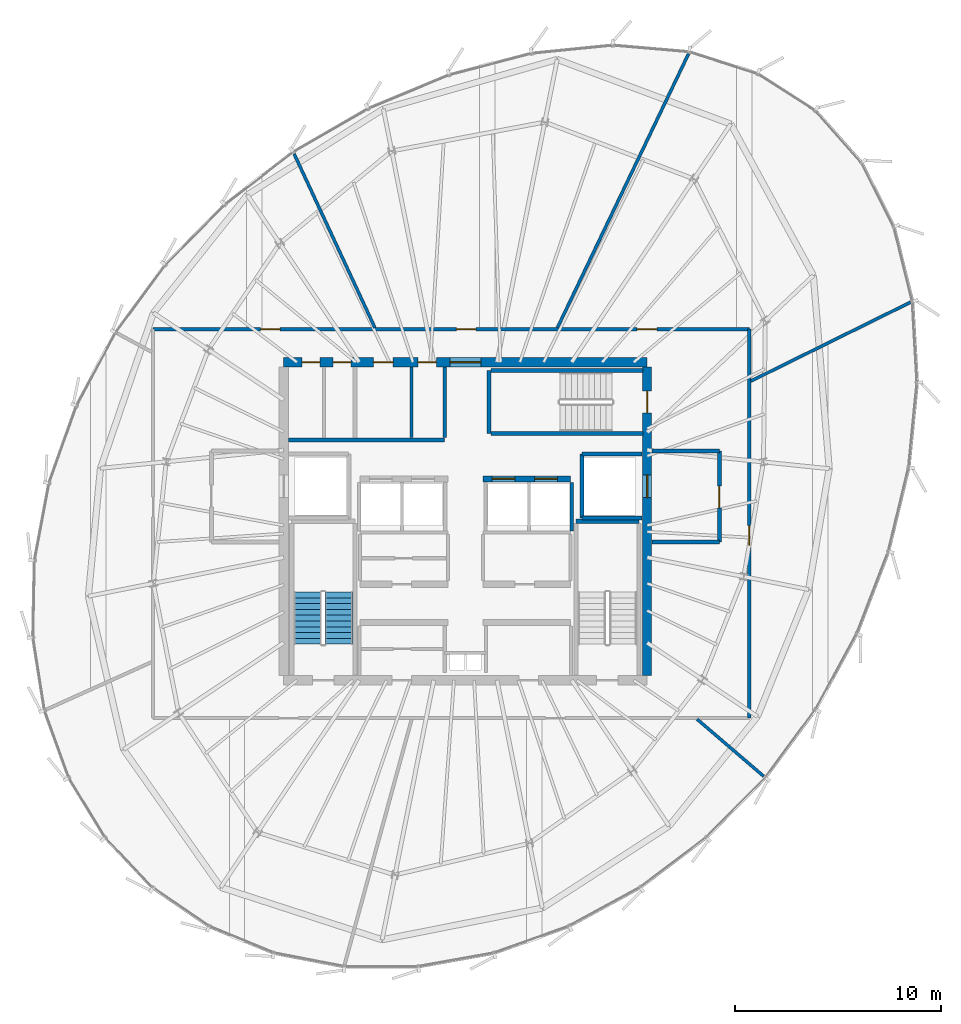
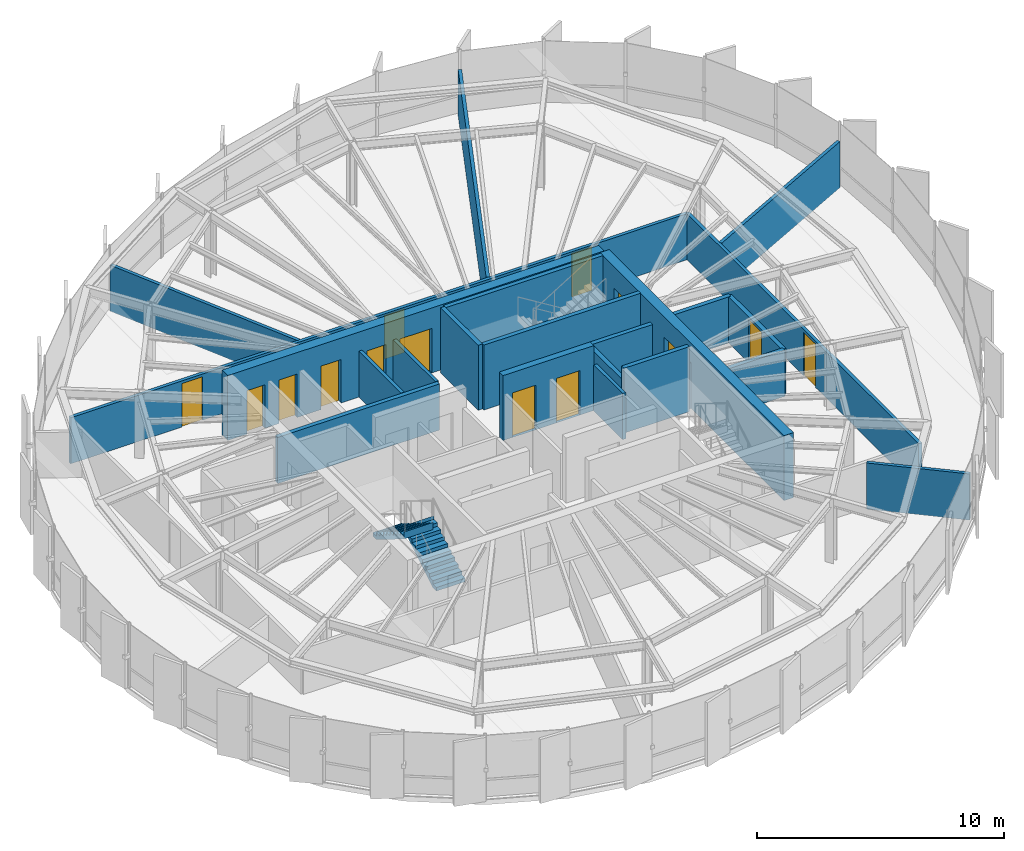
# One storey, part 28 of 33: 23 walls, 14 doors, 2 stair flights, 14 openings, 1 element without a shape of its own.
"""IFC4 building model written with IfcOpenShell, lengths in metres."""

from ifc_helpers import new_model, si_unit, direction, frame, frame_2d, origin, place, context, subcontext, project, spatial, polyline, rectangle, outline, extrude, source, transform, mapped, material, layer, layer_set, type_object, element, fill, aggregate, save


model = new_model("IFC4")

# Units and contexts
model_context = context("Model", 3, precision=1e-05, world=origin(), true_north=direction((0.0, 1.0)))
body_context = subcontext(model_context, "Body", "Model", "MODEL_VIEW")
ifc_project = project(units=[si_unit("LENGTHUNIT", "METRE"), si_unit("AREAUNIT", "SQUARE_METRE"), si_unit("VOLUMEUNIT", "CUBIC_METRE"), si_unit("PLANEANGLEUNIT", "RADIAN"), si_unit("MASSUNIT", "GRAM", prefix="KILO"), si_unit("THERMODYNAMICTEMPERATUREUNIT", "KELVIN")], contexts=[model_context])

# Site, building, storey
site_placement = place(None, origin())
site = spatial("IfcSite", under=ifc_project, at=site_placement, CompositionType="ELEMENT")
building_placement = place(site_placement, origin())
building = spatial("IfcBuilding", under=site, at=building_placement, Name="Kethvar Cultural Tower", CompositionType="ELEMENT")
storey_placement = place(building_placement, frame((0.0, 0.0, 235.300048828125)))
storey = spatial("IfcBuildingStorey", under=building, at=storey_placement, Name="L61", CompositionType="ELEMENT", Elevation=235.300048828125)

# Wall, openings, doors
ifc_material_1 = material(Name="Concrete C50/60", Category="concrete")
ifc_layer_1 = layer(ifc_material_1, 0.449951171875, Name="Concrete C50/60", Category="concrete")
ifc_layer_set_1 = layer_set([ifc_layer_1], Name="Concrete C50/60 (450 mm)")
wall_type_1 = type_object("IfcWallType", Name="WL-CORE-450", PredefinedType="SHEAR", material=ifc_layer_set_1)
wall_1_placement = place(storey_placement, frame((55.60009765625, 35.5, 0.0), z_axis=(0.0, 0.0, 1.0), x_axis=(-1.0, 0.0, 0.0)))
wall_1 = element("IfcWall", 1, at=wall_1_placement, inside=storey, type_object=wall_type_1, Name="L61 Core Shear Wall N", PredefinedType="SHEAR", context=body_context, shape_type="SweptSolid", body=[
    extrude(rectangle(XDim=17.60009765625, YDim=0.449951171875, at=frame_2d((8.800048828125, 0.0))), origin(), (0.0, 0.0, 1.0), 3.2099609375),
])
opening_1_placement = place(wall_1_placement, frame((8.050048828125, 0.0, 0.0)))
opening_1 = element("IfcOpeningElement", 2, at=opening_1_placement, cuts=wall_1, Name="Opening D-L61-LN", PredefinedType="OPENING", context=body_context, shape_type="SweptSolid", body=[
    extrude(rectangle(XDim=1.5, YDim=2.199951171875, at=frame_2d((0.75, 1.10009765625))), frame((0.0, 0.23486328125, 0.0), z_axis=(0.0, -1.0, 0.0), x_axis=(1.0, 0.0, 0.0)), (0.0, 0.0, 1.0), 0.469970703125),
])
opening_2_placement = place(wall_1_placement, frame((15.85009765625, 0.0, 0.0)))
opening_2 = element("IfcOpeningElement", 3, at=opening_2_placement, cuts=wall_1, Name="Opening D-L61-E1", PredefinedType="OPENING", context=body_context, shape_type="SweptSolid", body=[
    extrude(rectangle(XDim=0.85009765625, YDim=2.14990234375, at=frame_2d((0.425048828125, 1.074951171875))), frame((0.0, 0.23486328125, 0.0), z_axis=(0.0, -1.0, 0.0), x_axis=(1.0, 0.0, 0.0)), (0.0, 0.0, 1.0), 0.469970703125),
])
opening_3_placement = place(wall_1_placement, frame((14.35009765625, 0.0, 0.0)))
opening_3 = element("IfcOpeningElement", 4, at=opening_3_placement, cuts=wall_1, Name="Opening D-L61-E2", PredefinedType="OPENING", context=body_context, shape_type="SweptSolid", body=[
    extrude(rectangle(XDim=0.85009765625, YDim=2.14990234375, at=frame_2d((0.425048828125, 1.074951171875))), frame((0.0, 0.23486328125, 0.0), z_axis=(0.0, -1.0, 0.0), x_axis=(1.0, 0.0, 0.0)), (0.0, 0.0, 1.0), 0.469970703125),
])
opening_4_placement = place(wall_1_placement, frame((12.300048828125, 0.0, 0.0)))
opening_4 = element("IfcOpeningElement", 5, at=opening_4_placement, cuts=wall_1, Name="Opening D-L61-W1", PredefinedType="OPENING", context=body_context, shape_type="SweptSolid", body=[
    extrude(rectangle(XDim=0.949951171875, YDim=2.14990234375, at=frame_2d((0.47509765625, 1.074951171875))), frame((0.0, 0.23486328125, 0.0), z_axis=(0.0, -1.0, 0.0), x_axis=(1.0, 0.0, 0.0)), (0.0, 0.0, 1.0), 0.469970703125),
])
opening_5_placement = place(wall_1_placement, frame((10.199951171875, 0.0, 0.0)))
opening_5 = element("IfcOpeningElement", 6, at=opening_5_placement, cuts=wall_1, Name="Opening D-L61-W2", PredefinedType="OPENING", context=body_context, shape_type="SweptSolid", body=[
    extrude(rectangle(XDim=0.89990234375, YDim=2.14990234375, at=frame_2d((0.449951171875, 1.074951171875))), frame((0.0, 0.23486328125, 0.0), z_axis=(0.0, -1.0, 0.0), x_axis=(1.0, 0.0, 0.0)), (0.0, 0.0, 1.0), 0.469970703125),
])
ifc_material_2 = material(Name="Architectural Oak Timber", Category="wood")
door_type_1 = type_object("IfcDoorType", Name="DR-DBL-FD60-1500", OperationType="DOUBLE_DOOR_SINGLE_SWING", PredefinedType="DOOR", material=ifc_material_2)
shared_shape_1 = source(origin(), body_context, "Body", "SweptSolid", [
    extrude(rectangle(XDim=1.5, YDim=2.199951171875, at=frame_2d((0.75, 1.10009765625))), frame((0.0, 0.02490234375, 0.0), z_axis=(0.0, -1.0, 0.0), x_axis=(1.0, 0.0, 0.0)), (0.0, 0.0, 1.0), 0.050048828125),
])
door_1_placement = place(opening_1_placement, origin())
door_1 = element("IfcDoor", 7, at=door_1_placement, inside=storey, type_object=door_type_1, Name="L61 Lift Lobby Concourse Door", OperationType="DOUBLE_DOOR_SINGLE_SWING", OverallHeight=2.199951171875, OverallWidth=1.5, PredefinedType="DOOR", context=body_context, shape_type="MappedRepresentation", body=[
    mapped(shared_shape_1, transform((0.0, 0.0, 0.0), scale=1.0)),
])
fill(opening_1, door_1)
door_type_2 = type_object("IfcDoorType", Name="DR-FD30-950", OperationType="NOTDEFINED", PredefinedType="DOOR", material=ifc_material_2)
shared_shape_2 = source(origin(), body_context, "Body", "SweptSolid", [
    extrude(rectangle(XDim=0.949951171875, YDim=2.14990234375, at=frame_2d((0.47509765625, 1.074951171875))), frame((0.0, 0.02490234375, 0.0), z_axis=(0.0, -1.0, 0.0), x_axis=(1.0, 0.0, 0.0)), (0.0, 0.0, 1.0), 0.050048828125),
])
door_2_placement = place(opening_4_placement, origin())
door_2 = element("IfcDoor", 8, at=door_2_placement, inside=storey, type_object=door_type_2, Name="L61 Public Washroom Door", OperationType="SINGLE_SWING_LEFT", OverallHeight=2.14990234375, OverallWidth=0.949951171875, PredefinedType="DOOR", context=body_context, shape_type="MappedRepresentation", body=[
    mapped(shared_shape_2, transform((0.0, 0.0, 0.0), scale=1.0)),
])
fill(opening_4, door_2)
door_type_3 = type_object("IfcDoorType", Name="DR-FD30-900", OperationType="NOTDEFINED", PredefinedType="DOOR", material=ifc_material_2)
shared_shape_3 = source(origin(), body_context, "Body", "SweptSolid", [
    extrude(rectangle(XDim=0.89990234375, YDim=2.14990234375, at=frame_2d((0.449951171875, 1.074951171875))), frame((0.0, 0.02490234375, 0.0), z_axis=(0.0, -1.0, 0.0), x_axis=(1.0, 0.0, 0.0)), (0.0, 0.0, 1.0), 0.050048828125),
])
door_3_placement = place(opening_5_placement, origin())
door_3 = element("IfcDoor", 9, at=door_3_placement, inside=storey, type_object=door_type_3, Name="L61 Accessible Washroom Door", OperationType="SINGLE_SWING_RIGHT", OverallHeight=2.14990234375, OverallWidth=0.89990234375, PredefinedType="DOOR", context=body_context, shape_type="MappedRepresentation", body=[
    mapped(shared_shape_3, transform((0.0, 0.0, 0.0), scale=1.0)),
])
fill(opening_5, door_3)
ifc_material_3 = material(Name="Steel S355J2", Category="steel")
door_type_4 = type_object("IfcDoorType", Name="DR-FD30-850", OperationType="NOTDEFINED", PredefinedType="DOOR", material=ifc_material_3)
shared_shape_4 = source(origin(), body_context, "Body", "SweptSolid", [
    extrude(rectangle(XDim=0.85009765625, YDim=2.14990234375, at=frame_2d((0.425048828125, 1.074951171875))), frame((0.0, 0.02490234375, 0.0), z_axis=(0.0, -1.0, 0.0), x_axis=(1.0, 0.0, 0.0)), (0.0, 0.0, 1.0), 0.050048828125),
])
door_4_placement = place(opening_2_placement, origin())
door_4 = element("IfcDoor", 10, at=door_4_placement, inside=storey, type_object=door_type_4, Name="L61 Electrical Riser Door", OperationType="SINGLE_SWING_LEFT", OverallHeight=2.14990234375, OverallWidth=0.85009765625, PredefinedType="DOOR", context=body_context, shape_type="MappedRepresentation", body=[
    mapped(shared_shape_4, transform((0.0, 0.0, 0.0), scale=1.0)),
])
fill(opening_2, door_4)
door_5_placement = place(opening_3_placement, origin())
door_5 = element("IfcDoor", 11, at=door_5_placement, inside=storey, type_object=door_type_4, Name="L61 Chilled Water Riser Door", OperationType="SINGLE_SWING_RIGHT", OverallHeight=2.14990234375, OverallWidth=0.85009765625, PredefinedType="DOOR", context=body_context, shape_type="MappedRepresentation", body=[
    mapped(shared_shape_4, transform((0.0, 0.0, 0.0), scale=1.0)),
])
fill(opening_3, door_5)

wall_2_placement = place(storey_placement, frame((55.60009765625, 20.340087890625, 0.0), z_axis=(0.0, 0.0, 1.0), x_axis=(0.0, 1.0, 0.0)))
wall_2 = element("IfcWall", 12, at=wall_2_placement, inside=storey, type_object=wall_type_1, Name="L61 Core Shear Wall E", PredefinedType="SHEAR", context=body_context, shape_type="SweptSolid", body=[
    extrude(rectangle(XDim=14.919921875, YDim=0.449951171875, at=frame_2d((7.4599609375, 0.0))), origin(), (0.0, 0.0, 1.0), 3.2099609375),
])
opening_6_placement = place(wall_2_placement, frame((12.7099609375, 0.0, 0.0)))
opening_6 = element("IfcOpeningElement", 13, at=opening_6_placement, cuts=wall_2, Name="Opening D-L61-S3", PredefinedType="OPENING", context=body_context, shape_type="SweptSolid", body=[
    extrude(rectangle(XDim=1.050048828125, YDim=2.14990234375, at=frame_2d((0.52490234375, 1.074951171875))), frame((0.0, 0.23486328125, 0.0), z_axis=(0.0, -1.0, 0.0), x_axis=(1.0, 0.0, 0.0)), (0.0, 0.0, 1.0), 0.469970703125),
])
opening_7_placement = place(wall_2_placement, frame((8.610107421875, 0.0, 0.0)))
opening_7 = element("IfcOpeningElement", 14, at=opening_7_placement, cuts=wall_2, Name="Opening LD-2", PredefinedType="OPENING", context=body_context, shape_type="SweptSolid", body=[
    extrude(rectangle(XDim=1.10009765625, YDim=2.199951171875, at=frame_2d((0.550048828125, 1.10009765625))), frame((0.0, 0.23486328125, 0.0), z_axis=(0.0, -1.0, 0.0), x_axis=(1.0, 0.0, 0.0)), (0.0, 0.0, 1.0), 0.469970703125),
])
door_type_5 = type_object("IfcDoorType", Name="DR-FD60-1050", OperationType="NOTDEFINED", PredefinedType="DOOR", material=ifc_material_3)
shared_shape_5 = source(origin(), body_context, "Body", "SweptSolid", [
    extrude(rectangle(XDim=1.050048828125, YDim=2.14990234375, at=frame_2d((0.52490234375, 1.074951171875))), frame((0.0, 0.02490234375, 0.0), z_axis=(0.0, -1.0, 0.0), x_axis=(1.0, 0.0, 0.0)), (0.0, 0.0, 1.0), 0.050048828125),
])
door_6_placement = place(opening_6_placement, origin())
door_6 = element("IfcDoor", 15, at=door_6_placement, inside=storey, type_object=door_type_5, Name="L61 Exit Stair 3 Door", OperationType="SINGLE_SWING_LEFT", OverallHeight=2.14990234375, OverallWidth=1.050048828125, PredefinedType="DOOR", context=body_context, shape_type="MappedRepresentation", body=[
    mapped(shared_shape_5, transform((0.0, 0.0, 0.0), scale=1.0)),
])
fill(opening_6, door_6)
door_type_6 = type_object("IfcDoorType", Name="DR-LIFT-SLIDE-1100", OperationType="NOTDEFINED", PredefinedType="DOOR", material=ifc_material_3)
shared_shape_6 = source(origin(), body_context, "Body", "SweptSolid", [
    extrude(rectangle(XDim=1.10009765625, YDim=2.199951171875, at=frame_2d((0.550048828125, 1.10009765625))), frame((0.0, 0.02490234375, 0.0), z_axis=(0.0, -1.0, 0.0), x_axis=(1.0, 0.0, 0.0)), (0.0, 0.0, 1.0), 0.050048828125),
])
door_7_placement = place(opening_7_placement, origin())
door_7 = element("IfcDoor", 16, at=door_7_placement, inside=storey, type_object=door_type_6, Name="L61 Firefighting Lift Landing Door FFL-02", OperationType="SLIDING_TO_RIGHT", OverallHeight=2.199951171875, OverallWidth=1.10009765625, PredefinedType="DOOR", context=body_context, shape_type="MappedRepresentation", body=[
    mapped(shared_shape_6, transform((0.0, 0.0, 0.0), scale=1.0)),
])
fill(opening_7, door_7)

# Walls
ifc_material_4 = material(Name="Gypsum Fireboard Partition")
ifc_layer_2 = layer(ifc_material_4, 0.14990234375, Name="Gypsum Fireboard Partition")
ifc_layer_set_2 = layer_set([ifc_layer_2], Name="Gypsum Fireboard Partition (150 mm)")
wall_type_2 = type_object("IfcWallType", Name="WL-FIRE-150", PredefinedType="PARTITIONING", material=ifc_layer_set_2)
wall_3_placement = place(storey_placement, frame((51.949951171875, 27.340087890625, 0.0), z_axis=(0.0, 0.0, 1.0), x_axis=(0.0, 1.0, 0.0)))
element("IfcWall", 17, at=wall_3_placement, inside=storey, type_object=wall_type_2, Name="L61 High-Rise Lift Shaft Outer Wall E", PredefinedType="PARTITIONING", context=body_context, shape_type="SweptSolid", body=[
    extrude(rectangle(XDim=2.33984375, YDim=0.14990234375, at=frame_2d((1.169921875, 0.0))), origin(), (0.0, 0.0, 1.0), 2.280029296875),
])
wall_4_placement = place(storey_placement, frame((45.800048828125, 31.85009765625, 0.0), z_axis=(0.0, 0.0, 1.0), x_axis=(0.0, 1.0, 0.0)))
element("IfcWall", 18, at=wall_4_placement, inside=storey, type_object=wall_type_2, Name="L61 Sanitary Spine Wall", PredefinedType="PARTITIONING", context=body_context, shape_type="SweptSolid", body=[
    extrude(rectangle(XDim=3.414794921875, YDim=0.14990234375, at=frame_2d((1.70751953125, 0.0))), origin(), (0.0, 0.0, 1.0), 2.280029296875),
])

# Wall, opening, door
wall_5_placement = place(storey_placement, frame((60.550048828125, 18.26904296875, 0.0), z_axis=(0.0, 0.0, 1.0), x_axis=(0.0, 1.0, 0.0)))
wall_5 = element("IfcWall", 19, at=wall_5_placement, inside=storey, type_object=wall_type_2, Name="L61 Corridor Rated Wall E", PredefinedType="PARTITIONING", context=body_context, shape_type="SweptSolid", body=[
    extrude(rectangle(XDim=18.8310546875, YDim=0.14990234375, at=frame_2d((9.41552734375, 0.0))), origin(), (0.0, 0.0, 1.0), 2.280029296875),
])
opening_8_placement = place(wall_5_placement, frame((8.3720703125, 0.0, 0.0)))
opening_8 = element("IfcOpeningElement", 20, at=opening_8_placement, cuts=wall_5, Name="Opening D-L61-03", PredefinedType="OPENING", context=body_context, shape_type="SweptSolid", body=[
    extrude(rectangle(XDim=0.949951171875, YDim=2.14990234375, at=frame_2d((0.47509765625, 1.074951171875))), frame((0.0, 0.0849609375, 0.0), z_axis=(0.0, -1.0, 0.0), x_axis=(1.0, 0.0, 0.0)), (0.0, 0.0, 1.0), 0.169921875),
])
door_8_placement = place(opening_8_placement, origin())
door_8 = element("IfcDoor", 21, at=door_8_placement, inside=storey, type_object=door_type_2, Name="L61 Collection Archive Storage 03 Door", OperationType="SINGLE_SWING_RIGHT", OverallHeight=2.14990234375, OverallWidth=0.949951171875, PredefinedType="DOOR", context=body_context, shape_type="MappedRepresentation", body=[
    mapped(shared_shape_2, transform((0.0, 0.0, 0.0), scale=1.0)),
])
fill(opening_8, door_8)

# Wall, openings, doors
wall_6_placement = place(storey_placement, frame((60.550048828125, 37.10009765625, 0.0), z_axis=(0.0, 0.0, 1.0), x_axis=(-1.0, 0.0, 0.0)))
wall_6 = element("IfcWall", 22, at=wall_6_placement, inside=storey, type_object=wall_type_2, Name="L61 Corridor Rated Wall N", PredefinedType="PARTITIONING", context=body_context, shape_type="SweptSolid", body=[
    extrude(rectangle(XDim=28.8701171875, YDim=0.14990234375, at=frame_2d((14.43505859375, 0.0))), origin(), (0.0, 0.0, 1.0), 2.280029296875),
])
opening_9_placement = place(wall_6_placement, frame((4.477783203125, 0.0, 0.0)))
opening_9 = element("IfcOpeningElement", 23, at=opening_9_placement, cuts=wall_6, Name="Opening D-L61-04", PredefinedType="OPENING", context=body_context, shape_type="SweptSolid", body=[
    extrude(rectangle(XDim=0.949951171875, YDim=2.14990234375, at=frame_2d((0.47509765625, 1.074951171875))), frame((0.0, 0.0849609375, 0.0), z_axis=(0.0, -1.0, 0.0), x_axis=(1.0, 0.0, 0.0)), (0.0, 0.0, 1.0), 0.169921875),
])
opening_10_placement = place(wall_6_placement, frame((13.236083984375, 0.0, 0.0)))
opening_10 = element("IfcOpeningElement", 24, at=opening_10_placement, cuts=wall_6, Name="Opening D-L61-05", PredefinedType="OPENING", context=body_context, shape_type="SweptSolid", body=[
    extrude(rectangle(XDim=0.949951171875, YDim=2.14990234375, at=frame_2d((0.47509765625, 1.074951171875))), frame((0.0, 0.0849609375, 0.0), z_axis=(0.0, -1.0, 0.0), x_axis=(1.0, 0.0, 0.0)), (0.0, 0.0, 1.0), 0.169921875),
])
opening_11_placement = place(wall_6_placement, frame((22.71875, 0.0, 0.0)))
opening_11 = element("IfcOpeningElement", 25, at=opening_11_placement, cuts=wall_6, Name="Opening D-L61-06", PredefinedType="OPENING", context=body_context, shape_type="SweptSolid", body=[
    extrude(rectangle(XDim=0.949951171875, YDim=2.14990234375, at=frame_2d((0.47509765625, 1.074951171875))), frame((0.0, 0.0849609375, 0.0), z_axis=(0.0, -1.0, 0.0), x_axis=(1.0, 0.0, 0.0)), (0.0, 0.0, 1.0), 0.169921875),
])
door_9_placement = place(opening_9_placement, origin())
door_9 = element("IfcDoor", 26, at=door_9_placement, inside=storey, type_object=door_type_2, Name="L61 Compact Archival Store 04 Door", OperationType="SINGLE_SWING_LEFT", OverallHeight=2.14990234375, OverallWidth=0.949951171875, PredefinedType="DOOR", context=body_context, shape_type="MappedRepresentation", body=[
    mapped(shared_shape_2, transform((0.0, 0.0, 0.0), scale=1.0)),
])
fill(opening_9, door_9)
door_10_placement = place(opening_10_placement, origin())
door_10 = element("IfcDoor", 27, at=door_10_placement, inside=storey, type_object=door_type_2, Name="L61 Staff Tea Pantry 05 Door", OperationType="SINGLE_SWING_RIGHT", OverallHeight=2.14990234375, OverallWidth=0.949951171875, PredefinedType="DOOR", context=body_context, shape_type="MappedRepresentation", body=[
    mapped(shared_shape_2, transform((0.0, 0.0, 0.0), scale=1.0)),
])
fill(opening_10, door_10)
door_11_placement = place(opening_11_placement, origin())
door_11 = element("IfcDoor", 28, at=door_11_placement, inside=storey, type_object=door_type_2, Name="L61 Cartography Reading Library 06 Door", OperationType="SINGLE_SWING_LEFT", OverallHeight=2.14990234375, OverallWidth=0.949951171875, PredefinedType="DOOR", context=body_context, shape_type="MappedRepresentation", body=[
    mapped(shared_shape_2, transform((0.0, 0.0, 0.0), scale=1.0)),
])
fill(opening_11, door_11)

# Walls
ifc_material_5 = material(Name="Concrete C40/50", Category="concrete")
ifc_layer_3 = layer(ifc_material_5, 0.199951171875, Name="Concrete C40/50", Category="concrete")
ifc_layer_set_3 = layer_set([ifc_layer_3], Name="Concrete C40/50 (200 mm)")
wall_type_3 = type_object("IfcWallType", Name="WL-FIRE-200", PredefinedType="PARTITIONING", material=ifc_layer_set_3)
wall_7_placement = place(storey_placement, frame((52.449951171875, 27.949951171875, 0.0), z_axis=(0.0, 0.0, 1.0), x_axis=(0.0, 1.0, 0.0)))
element("IfcWall", 29, at=wall_7_placement, inside=storey, type_object=wall_type_3, Name="L61 FFL-02 Shaft Inner Wall", PredefinedType="PARTITIONING", context=body_context, shape_type="SweptSolid", body=[
    extrude(rectangle(XDim=3.10009765625, YDim=0.199951171875, at=frame_2d((1.550048828125, 0.0))), origin(), (0.0, 0.0, 1.0), 2.280029296875),
])
for number, where, z_axis, x_axis, name in (
    (30, (52.449951171875, 27.949951171875, 0.0), (0.0, 0.0, 1.0), (1.0, 0.0, 0.0), "L61 FFL-02 Shaft South Wall"),
    (31, (52.449951171875, 31.050048828125, 0.0), (0.0, 0.0, 1.0), (1.0, 0.0, 0.0), "L61 FFL-02 Shaft North Wall"),
):
    element("IfcWall", number, at=place(storey_placement, frame(where, z_axis=z_axis, x_axis=x_axis)), inside=storey, type_object=wall_type_3, Name=name, PredefinedType="PARTITIONING", context=body_context, shape_type="SweptSolid", body=[
        extrude(rectangle(XDim=2.9150390625, YDim=0.199951171875, at=frame_2d((1.45751953125, 0.0))), origin(), (0.0, 0.0, 1.0), 2.280029296875),
    ])

# Wall, opening, door
wall_8_placement = place(storey_placement, frame((59.10009765625, 26.800048828125, 0.0), z_axis=(0.0, 0.0, 1.0), x_axis=(0.0, 1.0, 0.0)))
wall_8 = element("IfcWall", 32, at=wall_8_placement, inside=storey, type_object=wall_type_3, Name="L61 Firefighting Lobby 2 Wall", PredefinedType="PARTITIONING", context=body_context, shape_type="SweptSolid", body=[
    extrude(rectangle(XDim=4.39990234375, YDim=0.199951171875, at=frame_2d((2.199951171875, 0.0))), origin(), (0.0, 0.0, 1.0), 2.280029296875),
])
opening_12_placement = place(wall_8_placement, frame((1.64990234375, 0.0, 0.0)))
opening_12 = element("IfcOpeningElement", 33, at=opening_12_placement, cuts=wall_8, Name="Opening D-L61-F2", PredefinedType="OPENING", context=body_context, shape_type="SweptSolid", body=[
    extrude(rectangle(XDim=1.050048828125, YDim=2.14990234375, at=frame_2d((0.52490234375, 1.074951171875))), frame((0.0, 0.10986328125, 0.0), z_axis=(0.0, -1.0, 0.0), x_axis=(1.0, 0.0, 0.0)), (0.0, 0.0, 1.0), 0.219970703125),
])
door_12_placement = place(opening_12_placement, origin())
door_12 = element("IfcDoor", 34, at=door_12_placement, inside=storey, type_object=door_type_5, Name="L61 Firefighting Lobby 2 Fire Door", OperationType="SINGLE_SWING_LEFT", OverallHeight=2.14990234375, OverallWidth=1.050048828125, PredefinedType="DOOR", context=body_context, shape_type="MappedRepresentation", body=[
    mapped(shared_shape_5, transform((0.0, 0.0, 0.0), scale=1.0)),
])
fill(opening_12, door_12)

# Walls
for number, where, z_axis, x_axis, name in (
    (35, (55.8349609375, 26.800048828125, 0.0), (0.0, 0.0, 1.0), (1.0, 0.0, 0.0), "L61 FF Lobby 2 South Wall"),
    (36, (55.8349609375, 31.199951171875, 0.0), (0.0, 0.0, 1.0), (1.0, 0.0, 0.0), "L61 FF Lobby 2 North Wall"),
):
    element("IfcWall", number, at=place(storey_placement, frame(where, z_axis=z_axis, x_axis=x_axis)), inside=storey, type_object=wall_type_3, Name=name, PredefinedType="PARTITIONING", context=body_context, shape_type="SweptSolid", body=[
        extrude(rectangle(XDim=3.26513671875, YDim=0.199951171875, at=frame_2d((1.632568359375, 0.0))), origin(), (0.0, 0.0, 1.0), 2.280029296875),
    ])
wall_9_placement = place(storey_placement, frame((38.235107421875, 31.72998046875, 0.0), z_axis=(0.0, 0.0, 1.0), x_axis=(1.0, 0.0, 0.0)))
element("IfcWall", 37, at=wall_9_placement, inside=storey, type_object=wall_type_3, Name="L61 North Core Sanitary South Wall", PredefinedType="PARTITIONING", context=body_context, shape_type="SweptSolid", body=[
    extrude(rectangle(XDim=7.56494140625, YDim=0.199951171875, at=frame_2d((3.782470703125, 0.0))), origin(), (0.0, 0.0, 1.0), 2.280029296875),
])
ifc_material_6 = material(Name="Gypsum Acoustic Partition")
ifc_layer_4 = layer(ifc_material_6, 0.14990234375, Name="Gypsum Acoustic Partition")
ifc_layer_set_4 = layer_set([ifc_layer_4], Name="Gypsum Acoustic Partition (150 mm)")
wall_type_4 = type_object("IfcWallType", Name="WL-PART-150", PredefinedType="PARTITIONING", material=ifc_layer_set_4)
wall_10_placement = place(storey_placement, frame((58.02001953125, 18.216796875, 0.0), z_axis=(0.0, 0.0, 1.0), x_axis=(0.759390413893, -0.650635227518, 0.0)))
element("IfcWall", 38, at=wall_10_placement, inside=storey, type_object=wall_type_4, Name="L61 Radial Partition Wall 03", PredefinedType="PARTITIONING", context=body_context, shape_type="SweptSolid", body=[
    extrude(rectangle(XDim=4.24951171875, YDim=0.14990234375, at=frame_2d((2.124755859375, 0.0))), origin(), (0.0, 0.0, 1.0), 2.280029296875),
])
wall_11_placement = place(storey_placement, frame((60.62158203125, 34.58642578125, 0.0), z_axis=(0.0, 0.0, 1.0), x_axis=(0.896583813204, 0.442874097122, 0.0)))
element("IfcWall", 39, at=wall_11_placement, inside=storey, type_object=wall_type_4, Name="L61 Radial Partition Wall 04", PredefinedType="PARTITIONING", context=body_context, shape_type="SweptSolid", body=[
    extrude(rectangle(XDim=8.62939453125, YDim=0.14990234375, at=frame_2d((4.314697265625, 0.0))), origin(), (0.0, 0.0, 1.0), 2.280029296875),
])
wall_12_placement = place(storey_placement, frame((51.258544921875, 37.172119140625, 0.0), z_axis=(0.0, 0.0, 1.0), x_axis=(0.431686362639, 0.902023771478, 0.0)))
element("IfcWall", 40, at=wall_12_placement, inside=storey, type_object=wall_type_4, Name="L61 Radial Partition Wall 05", PredefinedType="PARTITIONING", context=body_context, shape_type="SweptSolid", body=[
    extrude(rectangle(XDim=14.704833984375, YDim=0.14990234375, at=frame_2d((7.3525390625, 0.0))), origin(), (0.0, 0.0, 1.0), 2.280029296875),
])
wall_13_placement = place(storey_placement, frame((42.419189453125, 37.172607421875, 0.0), z_axis=(0.0, 0.0, 1.0), x_axis=(-0.4213841455, 0.906882242588, 0.0)))
element("IfcWall", 41, at=wall_13_placement, inside=storey, type_object=wall_type_4, Name="L61 Radial Partition Wall 06", PredefinedType="PARTITIONING", context=body_context, shape_type="SweptSolid", body=[
    extrude(rectangle(XDim=9.27978515625, YDim=0.14990234375, at=frame_2d((4.639892578125, 0.0))), origin(), (0.0, 0.0, 1.0), 2.280029296875),
])
ifc_material_7 = material(Name="Moisture-Resistant Sanitary Chase Wall")
ifc_layer_5 = layer(ifc_material_7, 0.14990234375, Name="Moisture-Resistant Sanitary Chase Wall")
ifc_layer_set_5 = layer_set([ifc_layer_5], Name="Moisture-Resistant Sanitary Chase Wall (150 mm)")
wall_type_5 = type_object("IfcWallType", Name="WL-PLUMB-150", PredefinedType="PLUMBINGWALL", material=ifc_layer_set_5)
wall_14_placement = place(storey_placement, frame((44.199951171875, 31.85009765625, 0.0), z_axis=(0.0, 0.0, 1.0), x_axis=(0.0, 1.0, 0.0)))
element("IfcWall", 42, at=wall_14_placement, inside=storey, type_object=wall_type_5, Name="L61 Sanitary Plumbing Wall", PredefinedType="PLUMBINGWALL", context=body_context, shape_type="SweptSolid", body=[
    extrude(rectangle(XDim=3.414794921875, YDim=0.14990234375, at=frame_2d((1.70751953125, 0.0))), origin(), (0.0, 0.0, 1.0), 2.280029296875),
])

# Wall, openings, doors
ifc_layer_6 = layer(ifc_material_1, 0.300048828125, Name="Concrete C50/60", Category="concrete")
ifc_layer_set_6 = layer_set([ifc_layer_6], Name="Concrete C50/60 (300 mm)")
wall_type_6 = type_object("IfcWallType", Name="WL-SHAFT-300", PredefinedType="SHEAR", material=ifc_layer_set_6)
wall_15_placement = place(storey_placement, frame((47.64990234375, 29.85009765625, 0.0), z_axis=(0.0, 0.0, 1.0), x_axis=(1.0, 0.0, 0.0)))
wall_15 = element("IfcWall", 43, at=wall_15_placement, inside=storey, type_object=wall_type_6, Name="L61 Core Lift Spine Wall MID3E", PredefinedType="SHEAR", context=body_context, shape_type="SweptSolid", body=[
    extrude(rectangle(XDim=4.25, YDim=0.300048828125, at=frame_2d((2.125, 0.0))), origin(), (0.0, 0.0, 1.0), 3.2099609375),
])
opening_13_placement = place(wall_15_placement, frame((0.449951171875, 0.0, 0.0)))
opening_13 = element("IfcOpeningElement", 44, at=opening_13_placement, cuts=wall_15, Name="Opening LD-H3", PredefinedType="OPENING", context=body_context, shape_type="SweptSolid", body=[
    extrude(rectangle(XDim=1.10009765625, YDim=2.199951171875, at=frame_2d((0.550048828125, 1.10009765625))), frame((0.0, 0.159912109375, 0.0), z_axis=(0.0, -1.0, 0.0), x_axis=(1.0, 0.0, 0.0)), (0.0, 0.0, 1.0), 0.320068359375),
])
opening_14_placement = place(wall_15_placement, frame((2.5, 0.0, 0.0)))
opening_14 = element("IfcOpeningElement", 45, at=opening_14_placement, cuts=wall_15, Name="Opening LD-H4", PredefinedType="OPENING", context=body_context, shape_type="SweptSolid", body=[
    extrude(rectangle(XDim=1.10009765625, YDim=2.199951171875, at=frame_2d((0.550048828125, 1.10009765625))), frame((0.0, 0.159912109375, 0.0), z_axis=(0.0, -1.0, 0.0), x_axis=(1.0, 0.0, 0.0)), (0.0, 0.0, 1.0), 0.320068359375),
])
door_13_placement = place(opening_13_placement, origin())
door_13 = element("IfcDoor", 46, at=door_13_placement, inside=storey, type_object=door_type_6, Name="L61 High-Rise Lift Landing Door H3", OperationType="SLIDING_TO_LEFT", OverallHeight=2.199951171875, OverallWidth=1.10009765625, PredefinedType="DOOR", context=body_context, shape_type="MappedRepresentation", body=[
    mapped(shared_shape_6, transform((0.0, 0.0, 0.0), scale=1.0)),
])
fill(opening_13, door_13)
door_14_placement = place(opening_14_placement, origin())
door_14 = element("IfcDoor", 47, at=door_14_placement, inside=storey, type_object=door_type_6, Name="L61 High-Rise Lift Landing Door H4", OperationType="SLIDING_TO_LEFT", OverallHeight=2.199951171875, OverallWidth=1.10009765625, PredefinedType="DOOR", context=body_context, shape_type="MappedRepresentation", body=[
    mapped(shared_shape_6, transform((0.0, 0.0, 0.0), scale=1.0)),
])
fill(opening_14, door_14)

# Walls
ifc_layer_7 = layer(ifc_material_1, 0.199951171875, Name="Concrete C50/60", Category="concrete")
ifc_layer_set_7 = layer_set([ifc_layer_7], Name="Concrete C50/60 (200 mm)")
wall_type_7 = type_object("IfcWallType", Name="WL-STSHAFT-200", PredefinedType="SHEAR", material=ifc_layer_set_7)
for number, where, z_axis, x_axis, name in (
    (48, (52.14990234375, 27.800048828125, 0.0), (0.0, 0.0, 1.0), (1.0, 0.0, 0.0), "L61 ST-02 Stair Shaft Wall FAR"),
    (49, (47.949951171875, 32.050048828125, 0.0), (0.0, 0.0, 1.0), (0.0, 1.0, 0.0), "L61 ST-03 Stair Shaft Wall FAR"),
):
    element("IfcWall", number, at=place(storey_placement, frame(where, z_axis=z_axis, x_axis=x_axis)), inside=storey, type_object=wall_type_7, Name=name, PredefinedType="SHEAR", context=body_context, shape_type="SweptSolid", body=[
        extrude(rectangle(XDim=3.06005859375, YDim=0.199951171875, at=frame_2d((1.530029296875, 0.0))), origin(), (0.0, 0.0, 1.0), 3.2099609375),
    ])
for number, where, z_axis, x_axis, name in (
    (50, (48.050048828125, 35.110107421875, 0.0), (0.0, 0.0, 1.0), (1.0, 0.0, 0.0), "L61 ST-03 Stair Shaft Wall LEFT"),
    (51, (55.39990234375, 32.050048828125, 0.0), (0.0, 0.0, 1.0), (-1.0, 0.0, 0.0), "L61 ST-03 Stair Shaft Wall RIGHT"),
):
    element("IfcWall", number, at=place(storey_placement, frame(where, z_axis=z_axis, x_axis=x_axis)), inside=storey, type_object=wall_type_7, Name=name, PredefinedType="SHEAR", context=body_context, shape_type="SweptSolid", body=[
        extrude(rectangle(XDim=7.349853515625, YDim=0.199951171875, at=frame_2d((3.6748046875, 0.0))), origin(), (0.0, 0.0, 1.0), 3.2099609375),
    ])

# Stair, stair flights
stair_type = type_object("IfcStairType", Name="ST-DOGLEG-135", PredefinedType="HALF_TURN_STAIR", material=ifc_material_5)
stair_placement = place(storey_placement, origin())
stair = element("IfcStair", 52, at=stair_placement, inside=storey, type_object=stair_type, Name="L61 Core Exit Stair 1", PredefinedType="HALF_TURN_STAIR")
stair_flight_type = type_object("IfcStairFlightType", Name="FL-STRAIGHT-135", PredefinedType="STRAIGHT", material=ifc_material_5)
stair_flight_1_placement = place(storey_placement, frame((40.675048828125, 21.85009765625, 0.0), z_axis=(0.0, 0.0, 1.0), x_axis=(0.0, 1.0, 0.0)))
stair_flight_1 = element("IfcStairFlight", 53, at=stair_flight_1_placement, type_object=stair_flight_type, Name="ST-01 flight 1", NumberOfRisers=10, NumberOfTreads=9, PredefinedType="STRAIGHT", RiserHeight=0.1725, TreadLength=0.28, context=body_context, shape_type="SweptSolid", body=[
    extrude(outline(polyline([(-0.0009765625, -0.0009765625), (-0.0009765625, 0.172607421875), (0.280029296875, 0.172607421875), (0.280029296875, 0.344970703125), (0.56005859375, 0.344970703125), (0.56005859375, 0.517578125), (0.840087890625, 0.517578125), (0.840087890625, 0.68994140625), (1.1201171875, 0.68994140625), (1.1201171875, 0.862548828125), (1.39990234375, 0.862548828125), (1.39990234375, 1.034912109375), (1.679931640625, 1.034912109375), (1.679931640625, 1.20751953125), (1.9599609375, 1.20751953125), (1.9599609375, 1.3798828125), (2.239990234375, 1.3798828125), (2.239990234375, 1.552490234375), (2.52001953125, 1.552490234375), (2.52001953125, 1.72509765625), (2.52099609375, 1.72509765625), (2.52099609375, 1.37646484375), (0.285888671875, 0.0), (0.0, -0.0009765625), (-0.0009765625, -0.0009765625)])), frame((0.0, 0.675048828125, 0.0), z_axis=(0.0, -1.0, 0.0), x_axis=(1.0, 0.0, 0.0)), (0.0, 0.0, 1.0), 1.35009765625),
])
stair_flight_2_placement = place(storey_placement, frame((39.1650390625, 24.3701171875, 1.724853515625), z_axis=(0.0, 0.0, 1.0), x_axis=(0.0, -1.0, 0.0)))
stair_flight_2 = element("IfcStairFlight", 54, at=stair_flight_2_placement, type_object=stair_flight_type, Name="ST-01 flight 2", NumberOfRisers=10, NumberOfTreads=9, PredefinedType="STRAIGHT", RiserHeight=0.1725, TreadLength=0.28, context=body_context, shape_type="SweptSolid", body=[
    extrude(outline(polyline([(-0.0009765625, -0.0009765625), (-0.0009765625, 0.172607421875), (0.280029296875, 0.172607421875), (0.280029296875, 0.344970703125), (0.56005859375, 0.344970703125), (0.56005859375, 0.517578125), (0.840087890625, 0.517578125), (0.840087890625, 0.68994140625), (1.1201171875, 0.68994140625), (1.1201171875, 0.862548828125), (1.39990234375, 0.862548828125), (1.39990234375, 1.034912109375), (1.679931640625, 1.034912109375), (1.679931640625, 1.20751953125), (1.9599609375, 1.20751953125), (1.9599609375, 1.3798828125), (2.239990234375, 1.3798828125), (2.239990234375, 1.552490234375), (2.52001953125, 1.552490234375), (2.52001953125, 1.72509765625), (2.52099609375, 1.72509765625), (2.52099609375, 1.37646484375), (0.285888671875, 0.0), (0.0, -0.0009765625), (-0.0009765625, -0.0009765625)])), frame((0.0, 0.675048828125, 0.0), z_axis=(0.0, -1.0, 0.0), x_axis=(1.0, 0.0, 0.0)), (0.0, 0.0, 1.0), 1.35009765625),
])
aggregate(stair, [stair_flight_1, stair_flight_2])

save(model, "model.ifc")
